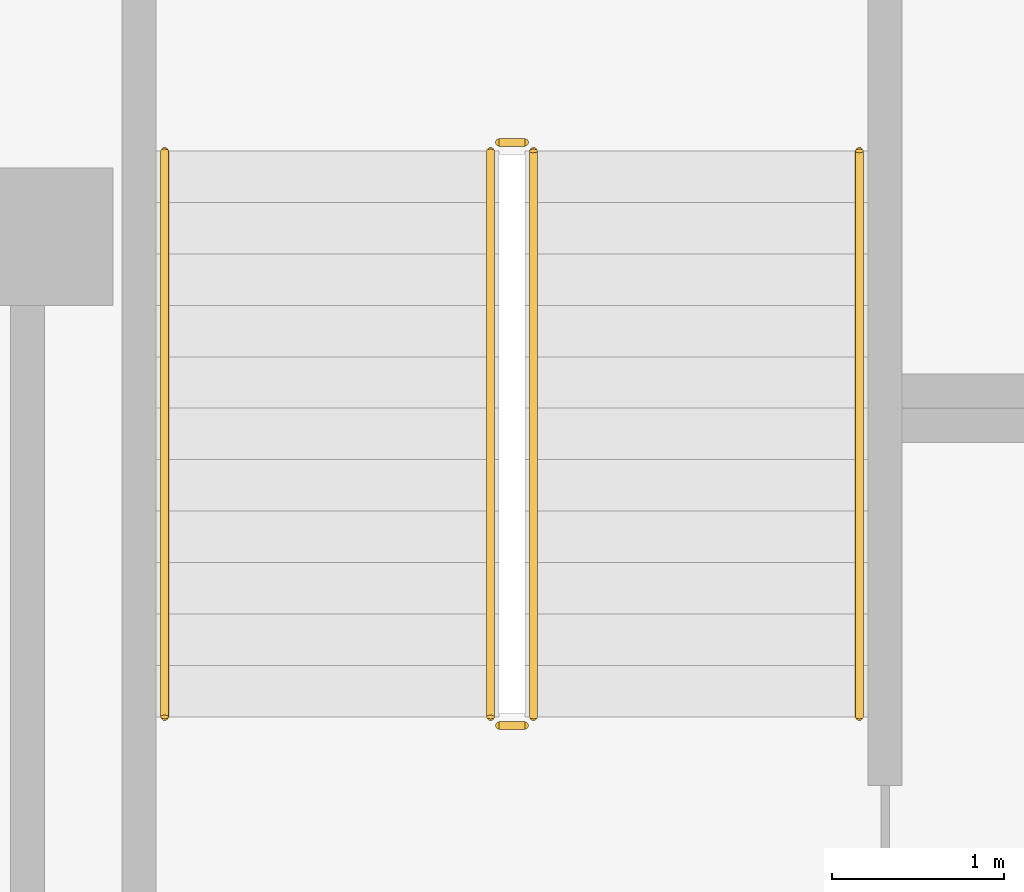
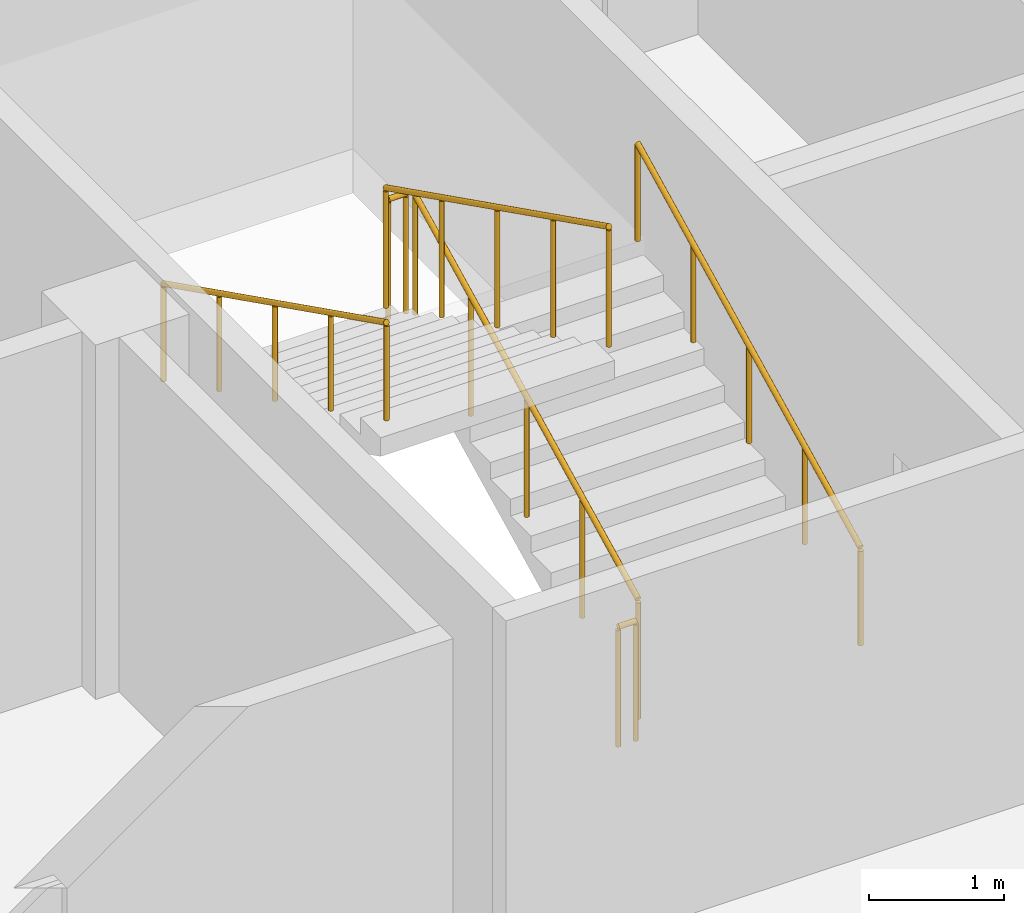
# One storey, part 31 of 37: 6 railings.
"""IFC4 building model written with IfcOpenShell, lengths in metres."""

from ifc_helpers import new_model, si_unit, direction, frame, origin, origin_2d, place, context, subcontext, project, spatial, circle, extrude, material, type_object, element, save


model = new_model("IFC4")

# Units and contexts
model_context = context("Model", 3, precision=1e-05, world=origin(), true_north=direction((0.0, 1.0)))
body_context = subcontext(model_context, "Body", "Model", "MODEL_VIEW")
ifc_project = project(units=[si_unit("LENGTHUNIT", "METRE"), si_unit("AREAUNIT", "SQUARE_METRE"), si_unit("VOLUMEUNIT", "CUBIC_METRE"), si_unit("PLANEANGLEUNIT", "RADIAN"), si_unit("MASSUNIT", "GRAM", prefix="KILO")], contexts=[model_context])

# Site, building, storey
site_placement = place(None, origin())
site = spatial("IfcSite", under=ifc_project, at=site_placement, CompositionType="ELEMENT")
building_placement = place(site_placement, origin())
building = spatial("IfcBuilding", under=site, at=building_placement, Name="Tamra Quay Hotel Tower", CompositionType="ELEMENT")
storey_placement = place(building_placement, frame((0.0, 0.0, -7.199951171875)))
storey = spatial("IfcBuildingStorey", under=building, at=storey_placement, Name="B2", CompositionType="ELEMENT", Elevation=-7.199951171875)

# Railings
ifc_material_1 = material(Name="Basement stair guard 1100")
railing_type_1 = type_object("IfcRailingType", Name="Basement stair guard 1100", PredefinedType="GUARDRAIL", material=ifc_material_1)
railing_1_placement = place(storey_placement, frame((31.35009765625, -18.800048828125, 0.14990234375)))
element("IfcRailing", 1, at=railing_1_placement, inside=storey, type_object=railing_type_1, Name="BSG", PredefinedType="GUARDRAIL", context=body_context, shape_type="SweptSolid", body=[
    extrude(circle(Radius=0.02392578125, at=origin_2d()), frame((0.0, 0.0, 1.076171875), z_axis=(0.0, 0.894413956696, 0.447240063129), x_axis=(-1.0, 0.0, 0.0)), (0.0, 0.0, 1.0), 3.689697265625),
    extrude(circle(Radius=0.02099609375, at=origin_2d()), origin(), (0.0, 0.0, 1.0), 1.052001953125),
    extrude(circle(Radius=0.02099609375, at=origin_2d()), frame((0.0, 0.824951171875, 0.41259765625)), (0.0, 0.0, 1.0), 1.052001953125),
    extrude(circle(Radius=0.02099609375, at=origin_2d()), frame((0.0, 1.64990234375, 0.8251953125)), (0.0, 0.0, 1.0), 1.052001953125),
    extrude(circle(Radius=0.02099609375, at=origin_2d()), frame((0.0, 2.47509765625, 1.237548828125)), (0.0, 0.0, 1.0), 1.052001953125),
    extrude(circle(Radius=0.02099609375, at=origin_2d()), frame((0.0, 3.300048828125, 1.650146484375)), (0.0, 0.0, 1.0), 1.052001953125),
])
railing_2_placement = place(storey_placement, frame((31.300048828125, -15.449951171875, 1.800048828125)))
element("IfcRailing", 2, at=railing_2_placement, inside=storey, type_object=railing_type_1, Name="BSG", PredefinedType="GUARDRAIL", context=body_context, shape_type="SweptSolid", body=[
    extrude(circle(Radius=0.02392578125, at=origin_2d()), frame((0.0, 0.0, 1.076171875), z_axis=(-1.0, 0.0, 0.0), x_axis=(0.0, -1.0, 0.0)), (0.0, 0.0, 1.0), 0.150146484375),
    extrude(circle(Radius=0.02099609375, at=origin_2d()), origin(), (0.0, 0.0, 1.0), 1.052001953125),
    extrude(circle(Radius=0.02099609375, at=origin_2d()), frame((-0.150146484375, 0.0, 0.0)), (0.0, 0.0, 1.0), 1.052001953125),
])
railing_3_placement = place(storey_placement, frame((31.10009765625, -15.5, 1.949951171875)))
element("IfcRailing", 3, at=railing_3_placement, inside=storey, type_object=railing_type_1, Name="BSG", PredefinedType="GUARDRAIL", context=body_context, shape_type="SweptSolid", body=[
    extrude(circle(Radius=0.02392578125, at=origin_2d()), frame((0.0, 0.0, 1.076171875), z_axis=(0.0, -0.894440424912, 0.447187126696), x_axis=(1.0, 0.0, 0.0)), (0.0, 0.0, 1.0), 3.689453125),
    extrude(circle(Radius=0.02099609375, at=origin_2d()), origin(), (0.0, 0.0, 1.0), 1.052001953125),
    extrude(circle(Radius=0.02099609375, at=origin_2d()), frame((0.0, -0.824951171875, 0.41259765625)), (0.0, 0.0, 1.0), 1.052001953125),
    extrude(circle(Radius=0.02099609375, at=origin_2d()), frame((0.0, -1.64990234375, 0.824951171875)), (0.0, 0.0, 1.0), 1.052001953125),
    extrude(circle(Radius=0.02099609375, at=origin_2d()), frame((0.0, -2.47509765625, 1.2373046875)), (0.0, 0.0, 1.0), 1.052001953125),
    extrude(circle(Radius=0.02099609375, at=origin_2d()), frame((0.0, -3.300048828125, 1.64990234375)), (0.0, 0.0, 1.0), 1.052001953125),
])
railing_4_placement = place(storey_placement, frame((31.300048828125, -18.85009765625, 0.0)))
element("IfcRailing", 4, at=railing_4_placement, inside=storey, type_object=railing_type_1, Name="BSG", PredefinedType="GUARDRAIL", context=body_context, shape_type="SweptSolid", body=[
    extrude(circle(Radius=0.02392578125, at=origin_2d()), frame((0.0, 0.0, 1.076171875), z_axis=(-1.0, 0.0, 0.0), x_axis=(0.0, -1.0, 0.0)), (0.0, 0.0, 1.0), 0.150146484375),
    extrude(circle(Radius=0.02099609375, at=origin_2d()), origin(), (0.0, 0.0, 1.0), 1.052001953125),
    extrude(circle(Radius=0.02099609375, at=origin_2d()), frame((-0.150146484375, 0.0, 0.0)), (0.0, 0.0, 1.0), 1.052001953125),
])
ifc_material_2 = material(Name="Basement stair handrail 900")
railing_type_2 = type_object("IfcRailingType", Name="Basement stair handrail 900", PredefinedType="HANDRAIL", material=ifc_material_2)
railing_5_placement = place(storey_placement, frame((33.25, -18.800048828125, 0.14990234375)))
element("IfcRailing", 5, at=railing_5_placement, inside=storey, type_object=railing_type_2, Name="BSH", PredefinedType="HANDRAIL", context=body_context, shape_type="SweptSolid", body=[
    extrude(circle(Radius=0.02392578125, at=origin_2d()), frame((0.0, 0.0, 0.8759765625), z_axis=(0.0, 0.894413956696, 0.447240063129), x_axis=(-1.0, 0.0, 0.0)), (0.0, 0.0, 1.0), 3.689697265625),
    extrude(circle(Radius=0.02099609375, at=origin_2d()), origin(), (0.0, 0.0, 1.0), 0.851806640625),
    extrude(circle(Radius=0.02099609375, at=origin_2d()), frame((0.0, 0.824951171875, 0.41259765625)), (0.0, 0.0, 1.0), 0.851806640625),
    extrude(circle(Radius=0.02099609375, at=origin_2d()), frame((0.0, 1.64990234375, 0.8251953125)), (0.0, 0.0, 1.0), 0.851806640625),
    extrude(circle(Radius=0.02099609375, at=origin_2d()), frame((0.0, 2.47509765625, 1.237548828125)), (0.0, 0.0, 1.0), 0.851806640625),
    extrude(circle(Radius=0.02099609375, at=origin_2d()), frame((0.0, 3.300048828125, 1.650146484375)), (0.0, 0.0, 1.0), 0.851806640625),
])
railing_6_placement = place(storey_placement, frame((29.199951171875, -15.5, 1.949951171875)))
element("IfcRailing", 6, at=railing_6_placement, inside=storey, type_object=railing_type_2, Name="BSH", PredefinedType="HANDRAIL", context=body_context, shape_type="SweptSolid", body=[
    extrude(circle(Radius=0.02392578125, at=origin_2d()), frame((0.0, 0.0, 0.8759765625), z_axis=(0.0, -0.894440424912, 0.447187126696), x_axis=(1.0, 0.0, 0.0)), (0.0, 0.0, 1.0), 3.689453125),
    extrude(circle(Radius=0.02099609375, at=origin_2d()), origin(), (0.0, 0.0, 1.0), 0.851806640625),
    extrude(circle(Radius=0.02099609375, at=origin_2d()), frame((0.0, -0.824951171875, 0.41259765625)), (0.0, 0.0, 1.0), 0.851806640625),
    extrude(circle(Radius=0.02099609375, at=origin_2d()), frame((0.0, -1.64990234375, 0.824951171875)), (0.0, 0.0, 1.0), 0.851806640625),
    extrude(circle(Radius=0.02099609375, at=origin_2d()), frame((0.0, -2.47509765625, 1.2373046875)), (0.0, 0.0, 1.0), 0.851806640625),
    extrude(circle(Radius=0.02099609375, at=origin_2d()), frame((0.0, -3.300048828125, 1.64990234375)), (0.0, 0.0, 1.0), 0.851806640625),
])

save(model, "model.ifc")
